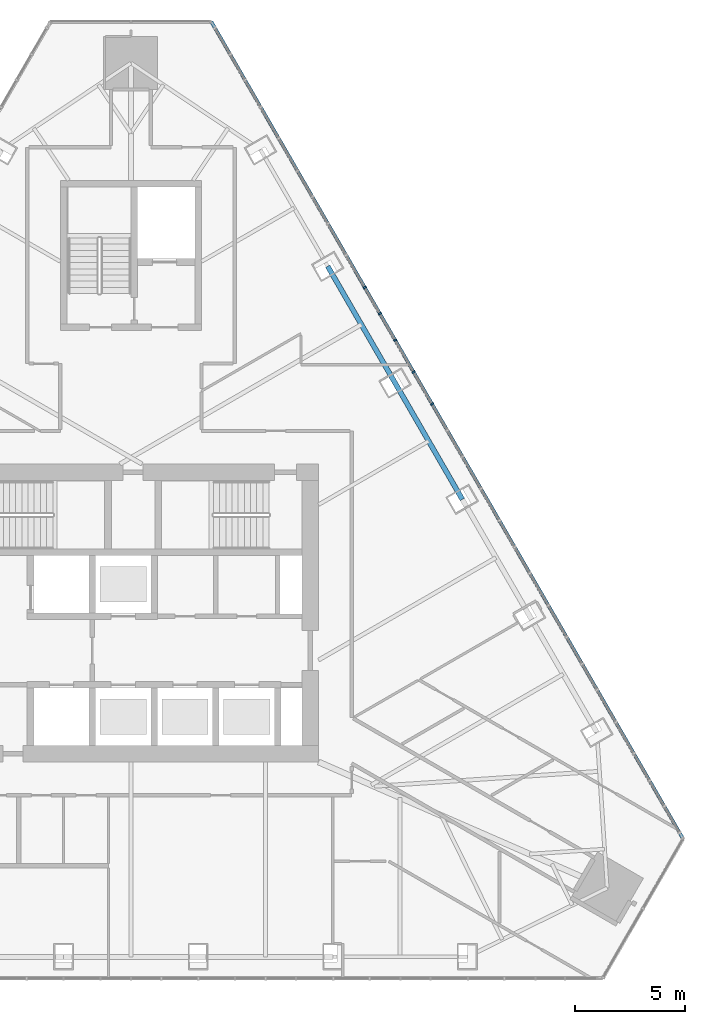
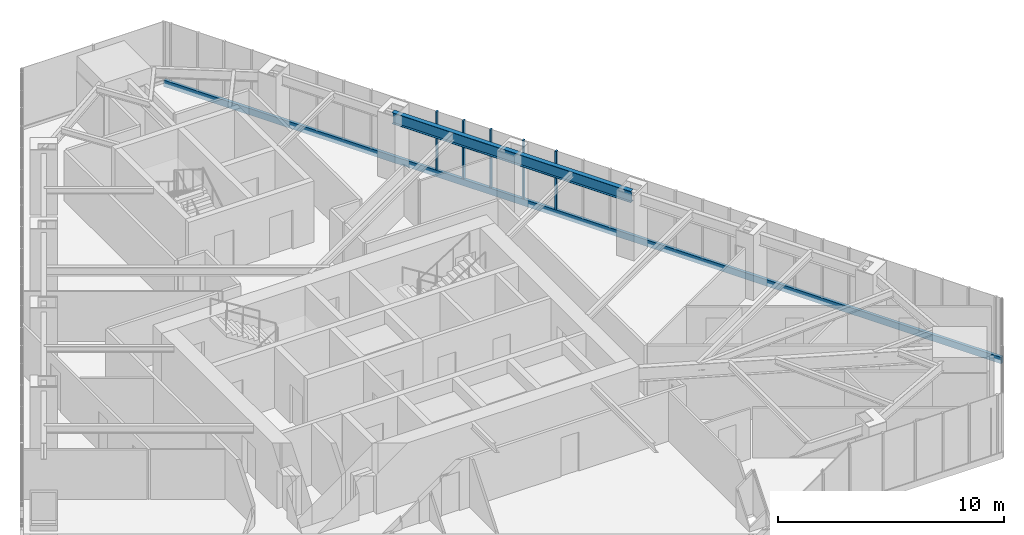
# One storey, part 8 of 20: 6 members, 1 beam, 1 element without a shape of its own.
"""IFC4 building model written with IfcOpenShell, lengths in metres."""

from ifc_helpers import new_model, si_unit, direction, frame, origin, origin_2d, place, context, subcontext, project, spatial, rectangle, i_section, extrude, material, layer, layer_set, material_profile, profile_set, type_object, element, aggregate, save


model = new_model("IFC4")

# Units and contexts
model_context = context("Model", 3, precision=1e-05, world=origin(), true_north=direction((0.0, 1.0)))
body_context = subcontext(model_context, "Body", "Model", "MODEL_VIEW")
ifc_project = project(units=[si_unit("LENGTHUNIT", "METRE"), si_unit("AREAUNIT", "SQUARE_METRE"), si_unit("VOLUMEUNIT", "CUBIC_METRE"), si_unit("PLANEANGLEUNIT", "RADIAN"), si_unit("MASSUNIT", "GRAM", prefix="KILO")], contexts=[model_context])

# Site, building, storey
site_placement = place(None, origin())
site = spatial("IfcSite", under=ifc_project, at=site_placement, CompositionType="ELEMENT")
building_placement = place(site_placement, origin())
building = spatial("IfcBuilding", under=site, at=building_placement, Name="Firuza Gate Tower and Library", CompositionType="ELEMENT")
storey_placement = place(building_placement, frame((0.0, 0.0, 305.60009765625)))
storey = spatial("IfcBuildingStorey", under=building, at=storey_placement, Name="L74", CompositionType="ELEMENT", Elevation=305.60009765625)

# Curtain wall, members
ifc_material_1 = material(Name="Aluminium 6063-T6", Category="aluminium")
ifc_layer = layer(ifc_material_1, 0.14990234375)
ifc_layer_set = layer_set([ifc_layer], Name="Unitised curtain wall, residences")
curtain_wall_type = type_object("IfcCurtainWallType", Name="Unitised curtain wall, residences", PredefinedType="NOTDEFINED", material=ifc_layer_set)
curtain_wall_placement = place(storey_placement, origin())
curtain_wall = element("IfcCurtainWall", 1, at=curtain_wall_placement, inside=storey, type_object=curtain_wall_type, Name="CW3 L74 E face", PredefinedType="NOTDEFINED")
ifc_material_2 = material(Name="Aluminium 6063-T6", Category="aluminium")
ifc_material_profile_1 = material_profile(ifc_material_2, rectangle(XDim=0.14990234375, YDim=0.080078125, at=origin_2d()))
ifc_profile_set_1 = profile_set([ifc_material_profile_1], Name="Aluminium 6063-T6")
member_type_1 = type_object("IfcMemberType", Name="Curtain wall mullion 80x150", PredefinedType="MULLION", material=ifc_profile_set_1)
member_1_placement = place(storey_placement, frame((87.805908203125, 85.920166015625, 0.14990234375), z_axis=(0.0, 0.0, 1.0), x_axis=(-0.866025403784, -0.5, 0.0)))
member_1 = element("IfcMember", 2, at=member_1_placement, type_object=member_type_1, Name="Mullion", PredefinedType="MULLION", context=body_context, shape_type="SweptSolid", body=[
    extrude(rectangle(XDim=0.14990234375, YDim=0.080078125, at=origin_2d()), origin(), (0.0, 0.0, 1.0), 3.14990234375),
])
member_2_placement = place(storey_placement, frame((86.27880859375, 88.565185546875, 0.14990234375), z_axis=(0.0, 0.0, 1.0), x_axis=(-0.866025403784, -0.5, 0.0)))
member_2 = element("IfcMember", 3, at=member_2_placement, type_object=member_type_1, Name="Mullion", PredefinedType="MULLION", context=body_context, shape_type="SweptSolid", body=[
    extrude(rectangle(XDim=0.14990234375, YDim=0.080078125, at=origin_2d()), origin(), (0.0, 0.0, 1.0), 3.14990234375),
])
member_3_placement = place(storey_placement, frame((88.6435546875, 84.468994140625, 0.14990234375), z_axis=(0.0, 0.0, 1.0), x_axis=(-0.866025403784, -0.5, 0.0)))
member_3 = element("IfcMember", 4, at=member_3_placement, type_object=member_type_1, Name="Mullion", PredefinedType="MULLION", context=body_context, shape_type="SweptSolid", body=[
    extrude(rectangle(XDim=0.14990234375, YDim=0.080078125, at=origin_2d()), origin(), (0.0, 0.0, 1.0), 3.14990234375),
])
member_4_placement = place(storey_placement, frame((86.974365234375, 87.360595703125, 0.14990234375), z_axis=(0.0, 0.0, 1.0), x_axis=(-0.866025403784, -0.5, 0.0)))
member_4 = element("IfcMember", 5, at=member_4_placement, type_object=member_type_1, Name="Mullion", PredefinedType="MULLION", context=body_context, shape_type="SweptSolid", body=[
    extrude(rectangle(XDim=0.14990234375, YDim=0.080078125, at=origin_2d()), origin(), (0.0, 0.0, 1.0), 3.14990234375),
])
member_5_placement = place(storey_placement, frame((85.595703125, 89.748291015625, 0.14990234375), z_axis=(0.0, 0.0, 1.0), x_axis=(-0.866025403784, -0.5, 0.0)))
member_5 = element("IfcMember", 6, at=member_5_placement, type_object=member_type_1, Name="Mullion", PredefinedType="MULLION", context=body_context, shape_type="SweptSolid", body=[
    extrude(rectangle(XDim=0.14990234375, YDim=0.080078125, at=origin_2d()), origin(), (0.0, 0.0, 1.0), 3.14990234375),
])
ifc_material_3 = material(Name="Aluminium 6063-T6", Category="aluminium")
ifc_material_profile_2 = material_profile(ifc_material_3, rectangle(XDim=0.14990234375, YDim=0.35009765625, at=origin_2d()))
ifc_profile_set_2 = profile_set([ifc_material_profile_2], Name="Aluminium 6063-T6")
member_type_2 = type_object("IfcMemberType", Name="Curtain wall transom 350x150", PredefinedType="USERDEFINED", material=ifc_profile_set_2)
member_6_placement = place(storey_placement, frame((100.022705078125, 64.760009765625, -0.025146484375), z_axis=(-0.500001704016, 0.866024419968, 0.0), x_axis=(-0.866024419968, -0.500001704016, 0.0)))
member_6 = element("IfcMember", 7, at=member_6_placement, type_object=member_type_2, Name="Transom", ObjectType="TRANSOM", PredefinedType="USERDEFINED", context=body_context, shape_type="SweptSolid", body=[
    extrude(rectangle(XDim=0.14990234375, YDim=0.35009765625, at=origin_2d()), origin(), (0.0, 0.0, 1.0), 42.758544921875),
])
aggregate(curtain_wall, [member_1, member_2, member_6, member_3, member_4, member_5])

# Beam
ifc_material_4 = material(Name="Steel S355", Category="steel")
ifc_material_profile_3 = material_profile(ifc_material_4, i_section(OverallWidth=0.22900390625, OverallDepth=0.612060546875, WebThickness=0.011962890625, FlangeThickness=0.01953125, at=origin_2d()))
ifc_profile_set_3 = profile_set([ifc_material_profile_3], Name="Steel S355")
beam_type = type_object("IfcBeamType", Name="W610x125 Edge beam", PredefinedType="SPANDREL", material=ifc_profile_set_3)
beam_placement = place(storey_placement, frame((90.0126953125, 80.14794921875, 2.993896484375), z_axis=(-0.500011347202, 0.866018852375, 0.0), x_axis=(-0.866018852375, -0.500011347202, 0.0)))
element("IfcBeam", 8, at=beam_placement, inside=storey, type_object=beam_type, Name="Edge beam L74 e52", PredefinedType="SPANDREL", context=body_context, shape_type="SweptSolid", body=[
    extrude(i_section(OverallWidth=0.22900390625, OverallDepth=0.612060546875, WebThickness=0.011962890625, FlangeThickness=0.01953125, at=origin_2d()), origin(), (0.0, 0.0, 1.0), 12.192138671875),
])

save(model, "model.ifc")
